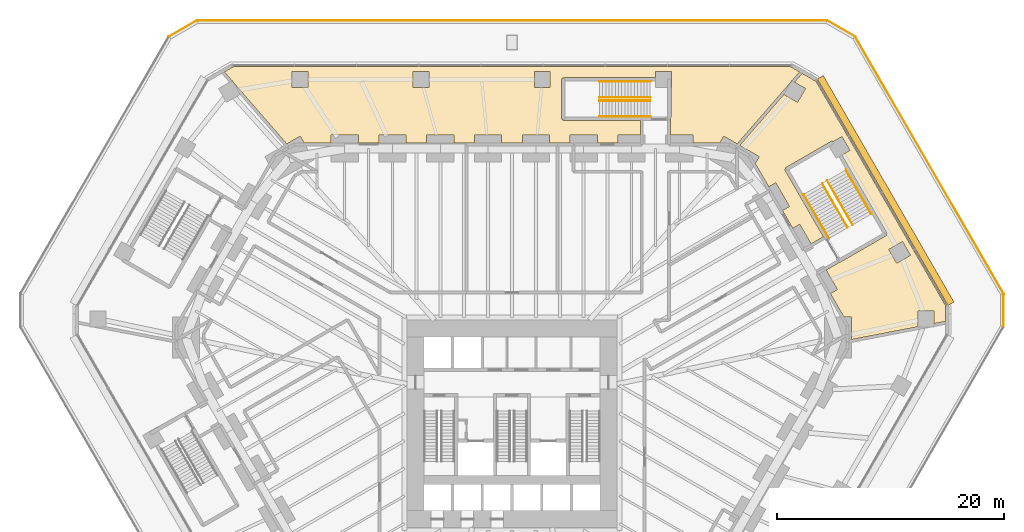
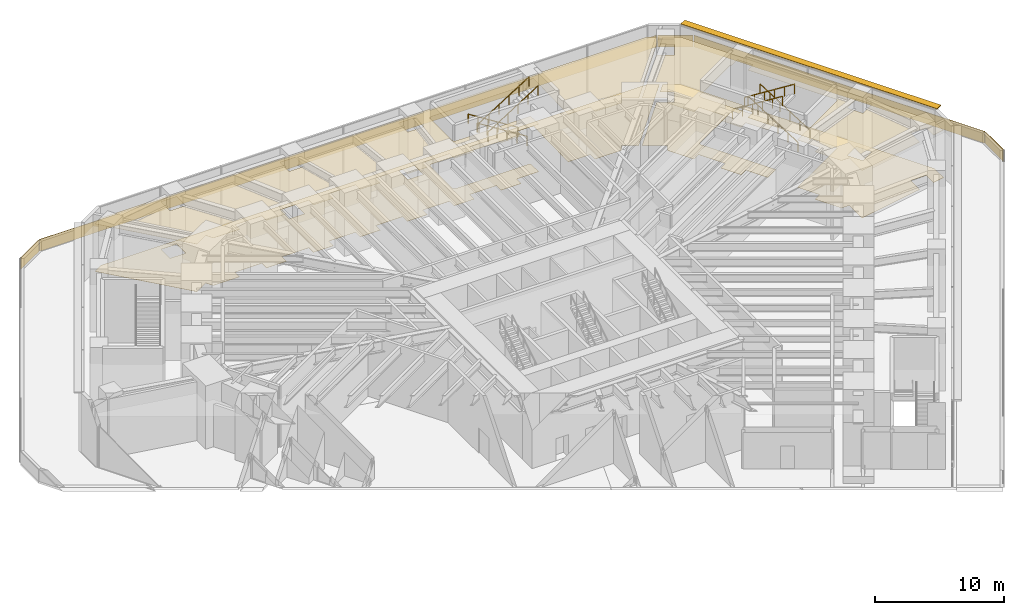
# One storey, part 24 of 24: 9 coverings, 8 railings, 1 shading device.
"""IFC4 building model written with IfcOpenShell, lengths in metres."""

from ifc_helpers import new_model, si_unit, direction, frame, frame_2d, origin, origin_2d, place, context, subcontext, project, spatial, polyline, rectangle, circle, outline, extrude, material, layer, layer_set, type_object, element, save


model = new_model("IFC4")

# Units and contexts
model_context = context("Model", 3, precision=1e-05, world=origin(), true_north=direction((0.0, 1.0)))
body_context = subcontext(model_context, "Body", "Model", "MODEL_VIEW")
ifc_project = project(units=[si_unit("LENGTHUNIT", "METRE"), si_unit("AREAUNIT", "SQUARE_METRE"), si_unit("VOLUMEUNIT", "CUBIC_METRE"), si_unit("PLANEANGLEUNIT", "RADIAN"), si_unit("MASSUNIT", "GRAM", prefix="KILO")], contexts=[model_context])

# Site, building, storey
site_placement = place(None, origin())
site = spatial("IfcSite", under=ifc_project, at=site_placement, CompositionType="ELEMENT")
building_placement = place(site_placement, origin())
building = spatial("IfcBuilding", under=site, at=building_placement, Name="Sandreach Pilgrim Tower", CompositionType="ELEMENT")
storey_placement = place(building_placement, frame((0.0, 0.0, 12.0)))
storey = spatial("IfcBuildingStorey", under=building, at=storey_placement, Name="L02", CompositionType="ELEMENT", Elevation=12.0)

# Coverings
ifc_material_1 = material(Name="Acoustic mineral fibre tile ceiling on a suspension grid", Category="mineral")
ifc_layer_1 = layer(ifc_material_1, 0.02001953125)
ifc_layer_set_1 = layer_set([ifc_layer_1], Name="Acoustic mineral tile ceiling")
covering_type_1 = type_object("IfcCoveringType", Name="Acoustic mineral tile ceiling", PredefinedType="CEILING", material=ifc_layer_set_1)
covering_1_placement = place(storey_placement, frame((0.0, 0.0, 4.5)))
element("IfcCovering", 1, at=covering_1_placement, inside=storey, type_object=covering_type_1, Name="Ceiling 0201 Women's prayer hall", PredefinedType="CEILING", context=body_context, shape_type="SweptSolid", body=[
    extrude(outline(polyline([(-24.506591796875, 29.910888671875), (24.506591796875, 29.910888671875), (25.330810546875, 29.43505859375), (24.654541015625, 28.655029296875), (24.62890625, 28.669921875), (24.552734375, 28.537841796875), (19.82958984375, 23.091552734375), (18.6474609375, 23.77392578125), (18.301513671875, 23.175048828125), (15.934814453125, 23.175048828125), (15.934814453125, 23.888671875), (13.955078125, 23.888671875), (14.016357421875, 28.05078125), (14.036865234375, 28.05078125), (14.036865234375, 29.450927734375), (12.636962890625, 29.450927734375), (12.636962890625, 28.94873046875), (4.52978515625, 28.94873046875), (4.52978515625, 28.8994140625), (4.4296875, 28.898681640625), (4.4296875, 28.798828125), (4.379638671875, 28.798828125), (4.379638671875, 25.298828125), (4.4296875, 25.298828125), (4.4296875, 25.19873046875), (4.52978515625, 25.197998046875), (4.52978515625, 25.148681640625), (11.304931640625, 25.148681640625), (11.304931640625, 23.888671875), (9.32470703125, 23.888671875), (9.32470703125, 23.175048828125), (7.514892578125, 23.175048828125), (7.514892578125, 23.888671875), (5.114990234375, 23.888671875), (5.114990234375, 23.175048828125), (3.304931640625, 23.175048828125), (3.304931640625, 23.888671875), (0.905029296875, 23.888671875), (0.905029296875, 23.175048828125), (-0.905029296875, 23.175048828125), (-0.905029296875, 23.888671875), (-3.304931640625, 23.888671875), (-3.304931640625, 23.175048828125), (-5.114990234375, 23.175048828125), (-5.114990234375, 23.888671875), (-7.514892578125, 23.888671875), (-7.514892578125, 23.175048828125), (-9.32470703125, 23.175048828125), (-9.32470703125, 23.888671875), (-11.724853515625, 23.888671875), (-11.724853515625, 23.175048828125), (-13.53466796875, 23.175048828125), (-13.53466796875, 23.888671875), (-15.934814453125, 23.888671875), (-15.934814453125, 23.175048828125), (-18.301513671875, 23.175048828125), (-18.6474609375, 23.77392578125), (-19.82958984375, 23.091552734375), (-24.552734375, 28.537841796875), (-24.62890625, 28.669921875), (-24.654541015625, 28.655029296875), (-25.330810546875, 29.43505859375), (-24.506591796875, 29.910888671875)]), holes=[polyline([(1.96728515625, 29.450927734375), (1.96728515625, 28.05078125), (3.367431640625, 28.05078125), (3.367431640625, 29.450927734375), (1.96728515625, 29.450927734375)]), polyline([(-7.30224609375, 29.450927734375), (-8.7021484375, 29.450927734375), (-8.7021484375, 28.05078125), (-7.30224609375, 28.05078125), (-7.30224609375, 29.450927734375)]), polyline([(-17.9716796875, 29.450927734375), (-19.37158203125, 29.450927734375), (-19.37158203125, 28.05078125), (-17.9716796875, 28.05078125), (-17.9716796875, 29.450927734375)])]), origin(), (0.0, 0.0, 1.0), 0.02001953125),
])
ifc_material_2 = material(Name="Moisture-resistant gypsum board suspended ceiling on a steel grid", Category="steel")
ifc_layer_2 = layer(ifc_material_2, 0.01611328125)
ifc_layer_set_2 = layer_set([ifc_layer_2], Name="Moisture-resistant gypsum board ceiling")
covering_type_2 = type_object("IfcCoveringType", Name="Moisture-resistant gypsum board ceiling", PredefinedType="CEILING", material=ifc_layer_set_2)
covering_2_placement = place(storey_placement, frame((0.0, 0.0, 4.5)))
element("IfcCovering", 2, at=covering_2_placement, inside=storey, type_object=covering_type_2, Name="Ceiling 0202 Ablution room block east", PredefinedType="CEILING", context=body_context, shape_type="SweptSolid", body=[
    extrude(outline(polyline([(24.034912109375, 20.7919921875), (27.423583984375, 14.9228515625), (26.331298828125, 14.294677734375), (25.338134765625, 16.0146484375), (24.722412109375, 15.6591796875), (23.810546875, 17.23681640625), (24.427001953125, 17.5927734375), (23.22705078125, 19.67138671875), (22.609130859375, 19.314453125), (21.41748046875, 21.37158203125), (21.76513671875, 21.97412109375), (20.050048828125, 22.96435546875), (23.940673828125, 27.45068359375), (25.141357421875, 26.75732421875), (25.84130859375, 27.969970703125), (24.875, 28.52783203125), (25.55126953125, 29.3076171875), (26.775390625, 28.60107421875), (38.156982421875, 8.887451171875), (38.156982421875, 7.469970703125), (37.143310546875, 7.2744140625), (37.143310546875, 8.394287109375), (35.743408203125, 8.394287109375), (35.743408203125, 7.00439453125), (29.91259765625, 5.879150390625), (29.91259765625, 7.862060546875), (29.2216796875, 7.862060546875), (28.032958984375, 9.923583984375), (28.6494140625, 10.279541015625), (27.656982421875, 11.99853515625), (28.880859375, 12.69873046875), (28.889892578125, 12.68310546875), (32.960205078125, 15.032958984375), (33.01513671875, 15.23779296875), (29.0419921875, 22.11962890625), (29.750244140625, 22.528564453125), (29.050048828125, 23.740966796875), (28.298583984375, 23.30712890625), (28.16015625, 23.346923828125), (24.08984375, 20.996826171875), (24.034912109375, 20.7919921875)]), holes=[polyline([(34.38525390625, 14.500244140625), (33.1728515625, 13.800048828125), (33.872802734375, 12.587646484375), (35.085205078125, 13.28759765625), (34.38525390625, 14.500244140625)])]), origin(), (0.0, 0.0, 1.0), 0.01611328125),
])

# Shading device
ifc_material_3 = material(Name="Extruded aluminium sunshade blade, powder coated", Category="aluminium")
ifc_layer_3 = layer(ifc_material_3, 0.10009765625)
ifc_layer_set_3 = layer_set([ifc_layer_3], Name="Podium sunshade 600")
shading_device_type = type_object("IfcShadingDeviceType", Name="Podium sunshade 600", PredefinedType="AWNING", material=ifc_layer_set_3)
shading_device_placement = place(storey_placement, frame((32.899169921875, 18.994384765625, 5.5), z_axis=(0.0, 0.0, 1.0), x_axis=(0.5, -0.866025403784, 0.0)))
element("IfcShadingDevice", 3, at=shading_device_placement, inside=storey, type_object=shading_device_type, Name="Sunshade L02 NE over NE", PredefinedType="AWNING", context=body_context, shape_type="SweptSolid", body=[
    extrude(rectangle(XDim=23.016845703125, YDim=0.60009765625, at=origin_2d()), origin(), (0.0, 0.0, 1.0), 0.10009765625),
])

# Coverings
ifc_material_4 = material(Name="Porcelain tile on an adhesive bed", Category="ceramic")
ifc_layer_4 = layer(ifc_material_4, 0.011962890625)
ifc_layer_set_4 = layer_set([ifc_layer_4], Name="Porcelain tile")
covering_type_3 = type_object("IfcCoveringType", Name="Porcelain tile", PredefinedType="FLOORING", material=ifc_layer_set_4)
covering_3_placement = place(storey_placement, origin())
element("IfcCovering", 4, at=covering_3_placement, inside=storey, type_object=covering_type_3, Name="Floor finish 0202 Ablution room block east", PredefinedType="FLOORING", context=body_context, shape_type="SweptSolid", body=[
    extrude(outline(polyline([(24.034912109375, 20.7919921875), (27.423583984375, 14.9228515625), (26.331298828125, 14.294677734375), (25.338134765625, 16.0146484375), (24.722412109375, 15.6591796875), (23.810546875, 17.23681640625), (24.427001953125, 17.5927734375), (23.22705078125, 19.67138671875), (22.609130859375, 19.314453125), (21.41748046875, 21.37158203125), (21.76513671875, 21.97412109375), (20.050048828125, 22.96435546875), (23.940673828125, 27.45068359375), (25.141357421875, 26.75732421875), (25.84130859375, 27.969970703125), (24.875, 28.52783203125), (25.55126953125, 29.3076171875), (26.775390625, 28.60107421875), (38.156982421875, 8.887451171875), (38.156982421875, 7.469970703125), (37.143310546875, 7.2744140625), (37.143310546875, 8.394287109375), (35.743408203125, 8.394287109375), (35.743408203125, 7.00439453125), (29.91259765625, 5.879150390625), (29.91259765625, 7.862060546875), (29.2216796875, 7.862060546875), (28.032958984375, 9.923583984375), (28.6494140625, 10.279541015625), (27.656982421875, 11.99853515625), (28.880859375, 12.69873046875), (28.889892578125, 12.68310546875), (32.960205078125, 15.032958984375), (33.01513671875, 15.23779296875), (29.0419921875, 22.11962890625), (29.750244140625, 22.528564453125), (29.050048828125, 23.740966796875), (28.298583984375, 23.30712890625), (28.16015625, 23.346923828125), (24.08984375, 20.996826171875), (24.034912109375, 20.7919921875)]), holes=[polyline([(35.085205078125, 13.28759765625), (34.38525390625, 14.500244140625), (33.1728515625, 13.800048828125), (33.872802734375, 12.587646484375), (35.085205078125, 13.28759765625)])]), origin(), (0.0, 0.0, 1.0), 0.011962890625),
])
ifc_material_5 = material(Name="Wool prayer carpet on underlay", Category="textile")
ifc_layer_5 = layer(ifc_material_5, 0.011962890625)
ifc_layer_set_5 = layer_set([ifc_layer_5], Name="Prayer carpet")
covering_type_4 = type_object("IfcCoveringType", Name="Prayer carpet", PredefinedType="FLOORING", material=ifc_layer_set_5)
covering_4_placement = place(storey_placement, origin())
element("IfcCovering", 5, at=covering_4_placement, inside=storey, type_object=covering_type_4, Name="Floor finish 0201 Women's prayer hall", PredefinedType="FLOORING", context=body_context, shape_type="SweptSolid", body=[
    extrude(outline(polyline([(-24.506591796875, 29.910888671875), (24.506591796875, 29.910888671875), (25.330810546875, 29.43505859375), (24.654541015625, 28.655029296875), (24.62890625, 28.669921875), (24.552734375, 28.537841796875), (19.82958984375, 23.091552734375), (18.6474609375, 23.77392578125), (18.301513671875, 23.175048828125), (15.934814453125, 23.175048828125), (15.934814453125, 23.888671875), (13.955078125, 23.888671875), (14.016357421875, 28.05078125), (14.036865234375, 28.05078125), (14.036865234375, 29.450927734375), (12.636962890625, 29.450927734375), (12.636962890625, 28.94873046875), (4.52978515625, 28.94873046875), (4.52978515625, 28.8994140625), (4.4296875, 28.898681640625), (4.4296875, 28.798828125), (4.379638671875, 28.798828125), (4.379638671875, 25.298828125), (4.4296875, 25.298828125), (4.4296875, 25.19873046875), (4.52978515625, 25.197998046875), (4.52978515625, 25.148681640625), (11.304931640625, 25.148681640625), (11.304931640625, 23.888671875), (9.32470703125, 23.888671875), (9.32470703125, 23.175048828125), (7.514892578125, 23.175048828125), (7.514892578125, 23.888671875), (5.114990234375, 23.888671875), (5.114990234375, 23.175048828125), (3.304931640625, 23.175048828125), (3.304931640625, 23.888671875), (0.905029296875, 23.888671875), (0.905029296875, 23.175048828125), (-0.905029296875, 23.175048828125), (-0.905029296875, 23.888671875), (-3.304931640625, 23.888671875), (-3.304931640625, 23.175048828125), (-5.114990234375, 23.175048828125), (-5.114990234375, 23.888671875), (-7.514892578125, 23.888671875), (-7.514892578125, 23.175048828125), (-9.32470703125, 23.175048828125), (-9.32470703125, 23.888671875), (-11.724853515625, 23.888671875), (-11.724853515625, 23.175048828125), (-13.53466796875, 23.175048828125), (-13.53466796875, 23.888671875), (-15.934814453125, 23.888671875), (-15.934814453125, 23.175048828125), (-18.301513671875, 23.175048828125), (-18.6474609375, 23.77392578125), (-19.82958984375, 23.091552734375), (-24.552734375, 28.537841796875), (-24.62890625, 28.669921875), (-24.654541015625, 28.655029296875), (-25.330810546875, 29.43505859375), (-24.506591796875, 29.910888671875)]), holes=[polyline([(1.96728515625, 29.450927734375), (1.96728515625, 28.05078125), (3.367431640625, 28.05078125), (3.367431640625, 29.450927734375), (1.96728515625, 29.450927734375)]), polyline([(-8.7021484375, 29.450927734375), (-8.7021484375, 28.05078125), (-7.30224609375, 28.05078125), (-7.30224609375, 29.450927734375), (-8.7021484375, 29.450927734375)]), polyline([(-19.37158203125, 29.450927734375), (-19.37158203125, 28.05078125), (-17.9716796875, 28.05078125), (-17.9716796875, 29.450927734375), (-19.37158203125, 29.450927734375)])]), origin(), (0.0, 0.0, 1.0), 0.011962890625),
])

# Railings
ifc_material_6 = material(Name="Stainless steel tube", Category="steel")
railing_type = type_object("IfcRailingType", Name="Stair handrail", PredefinedType="HANDRAIL", material=ifc_material_6)
for number, where, name in (
    (6, (29.991455078125, 15.974853515625, 0.176513671875), "Handrail ST4 L02 flight 1"),
    (7, (31.636962890625, 16.9248046875, 0.176513671875), "Handrail ST4 L02 flight 1"),
):
    element("IfcRailing", number, at=place(storey_placement, frame(where)), inside=storey, type_object=railing_type, Name=name, PredefinedType="HANDRAIL", context=body_context, shape_type="SweptSolid", body=[
        extrude(circle(Radius=0.02392578125, at=origin_2d()), frame((0.0, 0.0, 0.8759765625), z_axis=(-0.42299277051, 0.732664971003, 0.533178353237), x_axis=(-0.866031314237, -0.499989762656, 0.0)), (0.0, 0.0, 1.0), 5.295654296875),
        extrude(circle(Radius=0.02099609375, at=origin_2d()), origin(), (0.0, 0.0, 1.0), 0.851806640625),
        extrude(circle(Radius=0.02099609375, at=origin_2d()), frame((-0.447998046875, 0.77587890625, 0.564697265625)), (0.0, 0.0, 1.0), 0.851806640625),
        extrude(circle(Radius=0.02099609375, at=origin_2d()), frame((-0.89599609375, 1.552001953125, 1.12939453125)), (0.0, 0.0, 1.0), 0.851806640625),
        extrude(circle(Radius=0.02099609375, at=origin_2d()), frame((-1.343994140625, 2.327880859375, 1.694091796875)), (0.0, 0.0, 1.0), 0.851806640625),
        extrude(circle(Radius=0.02099609375, at=origin_2d()), frame((-1.7919921875, 3.10400390625, 2.2587890625)), (0.0, 0.0, 1.0), 0.851806640625),
        extrude(circle(Radius=0.02099609375, at=origin_2d()), frame((-2.239990234375, 3.8798828125, 2.823486328125)), (0.0, 0.0, 1.0), 0.851806640625),
    ])
railing_1_placement = place(storey_placement, frame((27.318603515625, 19.604736328125, 3.176513671875)))
element("IfcRailing", 8, at=railing_1_placement, inside=storey, type_object=railing_type, Name="Handrail ST4 L02 flight 2", PredefinedType="HANDRAIL", context=body_context, shape_type="SweptSolid", body=[
    extrude(circle(Radius=0.02392578125, at=origin_2d()), frame((0.0, 0.0, 0.8759765625), z_axis=(0.42299277051, -0.732664971003, 0.533178353237), x_axis=(0.866031314237, 0.499989762656, 0.0)), (0.0, 0.0, 1.0), 5.295654296875),
    extrude(circle(Radius=0.02099609375, at=origin_2d()), origin(), (0.0, 0.0, 1.0), 0.851806640625),
    extrude(circle(Radius=0.02099609375, at=origin_2d()), frame((0.447998046875, -0.77587890625, 0.564697265625)), (0.0, 0.0, 1.0), 0.851806640625),
    extrude(circle(Radius=0.02099609375, at=origin_2d()), frame((0.89599609375, -1.552001953125, 1.12939453125)), (0.0, 0.0, 1.0), 0.851806640625),
    extrude(circle(Radius=0.02099609375, at=origin_2d()), frame((1.343994140625, -2.327880859375, 1.694091796875)), (0.0, 0.0, 1.0), 0.851806640625),
    extrude(circle(Radius=0.02099609375, at=origin_2d()), frame((1.7919921875, -3.10400390625, 2.2587890625)), (0.0, 0.0, 1.0), 0.851806640625),
    extrude(circle(Radius=0.02099609375, at=origin_2d()), frame((2.239990234375, -3.8798828125, 2.823486328125)), (0.0, 0.0, 1.0), 0.851806640625),
])
railing_2_placement = place(storey_placement, frame((25.673095703125, 18.654541015625, 3.176513671875)))
element("IfcRailing", 9, at=railing_2_placement, inside=storey, type_object=railing_type, Name="Handrail ST4 L02 flight 2", PredefinedType="HANDRAIL", context=body_context, shape_type="SweptSolid", body=[
    extrude(circle(Radius=0.02392578125, at=origin_2d()), frame((0.0, 0.0, 0.8759765625), z_axis=(0.423007058581, -0.732643615031, 0.533196363214), x_axis=(0.866017690131, 0.500013360201, 0.0)), (0.0, 0.0, 1.0), 5.29541015625),
    extrude(circle(Radius=0.02099609375, at=origin_2d()), origin(), (0.0, 0.0, 1.0), 0.851806640625),
    extrude(circle(Radius=0.02099609375, at=origin_2d()), frame((0.447998046875, -0.77587890625, 0.564697265625)), (0.0, 0.0, 1.0), 0.851806640625),
    extrude(circle(Radius=0.02099609375, at=origin_2d()), frame((0.89599609375, -1.5517578125, 1.12939453125)), (0.0, 0.0, 1.0), 0.851806640625),
    extrude(circle(Radius=0.02099609375, at=origin_2d()), frame((1.343994140625, -2.327880859375, 1.694091796875)), (0.0, 0.0, 1.0), 0.851806640625),
    extrude(circle(Radius=0.02099609375, at=origin_2d()), frame((1.7919921875, -3.103759765625, 2.2587890625)), (0.0, 0.0, 1.0), 0.851806640625),
    extrude(circle(Radius=0.02099609375, at=origin_2d()), frame((2.239990234375, -3.879638671875, 2.823486328125)), (0.0, 0.0, 1.0), 0.851806640625),
])
for number, where, name in (
    (10, (12.1796875, 27.19873046875, 0.176513671875), "Handrail ST7 L02 flight 1"),
    (11, (12.1796875, 28.5986328125, 0.176513671875), "Handrail ST7 L02 flight 1"),
):
    element("IfcRailing", number, at=place(storey_placement, frame(where)), inside=storey, type_object=railing_type, Name=name, PredefinedType="HANDRAIL", context=body_context, shape_type="SweptSolid", body=[
        extrude(circle(Radius=0.02392578125, at=origin_2d()), frame((0.0, 0.0, 0.8759765625), z_axis=(-0.845997938375, 0.0, 0.533186166611), x_axis=(0.0, -1.0, 0.0)), (0.0, 0.0, 1.0), 5.29541015625),
        extrude(circle(Radius=0.02099609375, at=origin_2d()), origin(), (0.0, 0.0, 1.0), 0.851806640625),
        extrude(circle(Radius=0.02099609375, at=origin_2d()), frame((-0.89599609375, 0.0, 0.564697265625)), (0.0, 0.0, 1.0), 0.851806640625),
        extrude(circle(Radius=0.02099609375, at=origin_2d()), frame((-1.7919921875, 0.0, 1.12939453125)), (0.0, 0.0, 1.0), 0.851806640625),
        extrude(circle(Radius=0.02099609375, at=origin_2d()), frame((-2.68798828125, 0.0, 1.694091796875)), (0.0, 0.0, 1.0), 0.851806640625),
        extrude(circle(Radius=0.02099609375, at=origin_2d()), frame((-3.583984375, 0.0, 2.2587890625)), (0.0, 0.0, 1.0), 0.851806640625),
        extrude(circle(Radius=0.02099609375, at=origin_2d()), frame((-4.47998046875, 0.0, 2.823486328125)), (0.0, 0.0, 1.0), 0.851806640625),
    ])
for number, where, name in (
    (12, (7.69970703125, 26.898681640625, 3.176513671875), "Handrail ST7 L02 flight 2"),
    (13, (7.69970703125, 25.498779296875, 3.176513671875), "Handrail ST7 L02 flight 2"),
):
    element("IfcRailing", number, at=place(storey_placement, frame(where)), inside=storey, type_object=railing_type, Name=name, PredefinedType="HANDRAIL", context=body_context, shape_type="SweptSolid", body=[
        extrude(circle(Radius=0.02392578125, at=origin_2d()), frame((0.0, 0.0, 0.8759765625), z_axis=(0.845997938375, 0.0, 0.533186166611), x_axis=(0.0, 1.0, 0.0)), (0.0, 0.0, 1.0), 5.29541015625),
        extrude(circle(Radius=0.02099609375, at=origin_2d()), origin(), (0.0, 0.0, 1.0), 0.851806640625),
        extrude(circle(Radius=0.02099609375, at=origin_2d()), frame((0.89599609375, 0.0, 0.564697265625)), (0.0, 0.0, 1.0), 0.851806640625),
        extrude(circle(Radius=0.02099609375, at=origin_2d()), frame((1.7919921875, 0.0, 1.12939453125)), (0.0, 0.0, 1.0), 0.851806640625),
        extrude(circle(Radius=0.02099609375, at=origin_2d()), frame((2.68798828125, 0.0, 1.694091796875)), (0.0, 0.0, 1.0), 0.851806640625),
        extrude(circle(Radius=0.02099609375, at=origin_2d()), frame((3.583984375, 0.0, 2.2587890625)), (0.0, 0.0, 1.0), 0.851806640625),
        extrude(circle(Radius=0.02099609375, at=origin_2d()), frame((4.47998046875, 0.0, 2.823486328125)), (0.0, 0.0, 1.0), 0.851806640625),
    ])

# Coverings
ifc_material_7 = material(Name="Terracotta rainscreen panels on aluminium rails", Category="masonry")
ifc_layer_6 = layer(ifc_material_7, 0.050048828125)
ifc_layer_set_6 = layer_set([ifc_layer_6], Name="Terracotta rainscreen cladding 50")
covering_type_5 = type_object("IfcCoveringType", Name="Terracotta rainscreen cladding 50", PredefinedType="CLADDING", material=ifc_layer_set_6)
for number, where, z_axis, x_axis, name in (
    (14, (-27.763427734375, 33.962158203125, 0.0), (0.0, 0.0, 1.0), (-0.866309351197, -0.499507865832, 0.0), "Rainscreen cladding on setback parapet l02 1"),
    (15, (43.293701171875, 7.062744140625, 0.0), (0.0, 0.0, 1.0), (0.000612369757, 0.999999812502, 0.0), "Rainscreen cladding on setback parapet l02 9"),
):
    element("IfcCovering", number, at=place(storey_placement, frame(where, z_axis=z_axis, x_axis=x_axis)), inside=storey, type_object=covering_type_5, Name=name, PredefinedType="CLADDING", context=body_context, shape_type="SweptSolid", body=[
        extrude(rectangle(XDim=2.790771484375, YDim=0.050048828125, at=frame_2d((1.3955078125, 0.0))), origin(), (0.0, 0.0, 1.0), 1.10009765625),
    ])
covering_5_placement = place(storey_placement, frame((43.275390625, 9.9287109375, 0.0), z_axis=(0.0, 0.0, 1.0), x_axis=(-0.500004465561, 0.866022825576, 0.0)))
element("IfcCovering", 16, at=covering_5_placement, inside=storey, type_object=covering_type_5, Name="Rainscreen cladding on setback parapet l02 10", PredefinedType="CLADDING", context=body_context, shape_type="SweptSolid", body=[
    extrude(rectangle(XDim=26.078369140625, YDim=0.050048828125, at=frame_2d((13.0390625, 0.0))), origin(), (0.0, 0.0, 1.0), 1.10009765625),
])
covering_6_placement = place(storey_placement, frame((30.18115234375, 32.568115234375, 0.0), z_axis=(0.0, 0.0, 1.0), x_axis=(-0.866309351197, 0.499507865832, 0.0)))
element("IfcCovering", 17, at=covering_6_placement, inside=storey, type_object=covering_type_5, Name="Rainscreen cladding on setback parapet l02 11", PredefinedType="CLADDING", context=body_context, shape_type="SweptSolid", body=[
    extrude(rectangle(XDim=2.790771484375, YDim=0.050048828125, at=frame_2d((1.3955078125, 0.0))), origin(), (0.0, 0.0, 1.0), 1.10009765625),
])
covering_7_placement = place(storey_placement, frame((27.6884765625, 33.982177734375, 0.0), z_axis=(0.0, 0.0, 1.0), x_axis=(-1.0, 0.0, 0.0)))
element("IfcCovering", 18, at=covering_7_placement, inside=storey, type_object=covering_type_5, Name="Rainscreen cladding on setback parapet l02 12", PredefinedType="CLADDING", context=body_context, shape_type="SweptSolid", body=[
    extrude(rectangle(XDim=55.376953125, YDim=0.050048828125, at=frame_2d((27.6884765625, 0.0))), origin(), (0.0, 0.0, 1.0), 1.10009765625),
])

save(model, "model.ifc")
